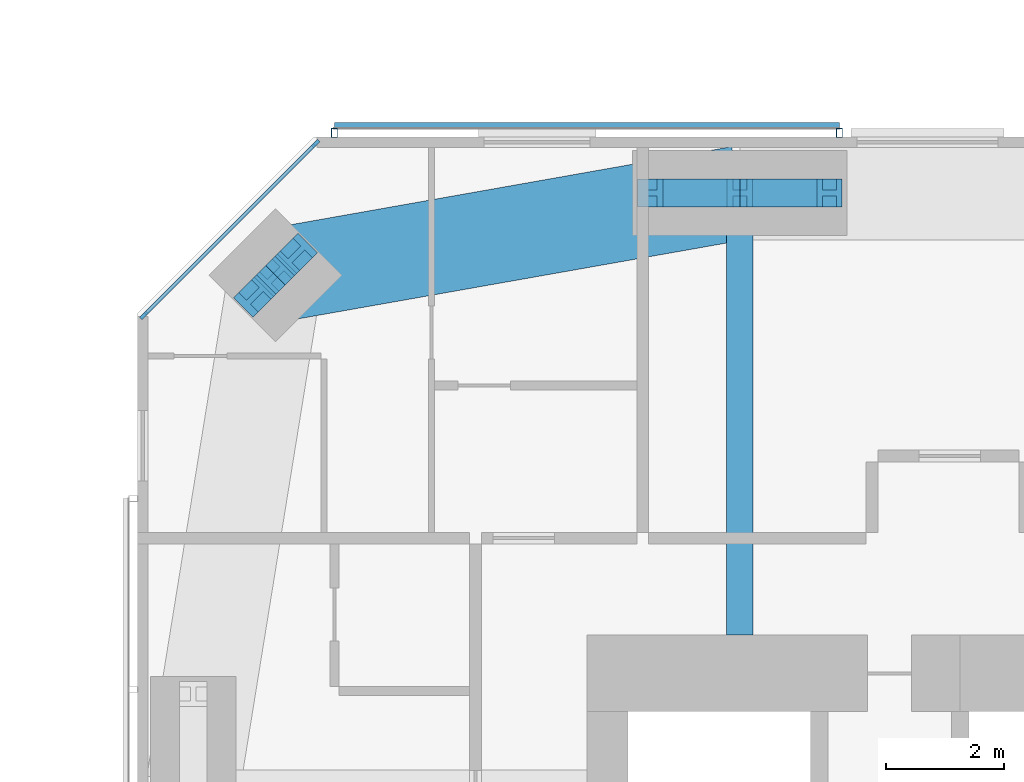
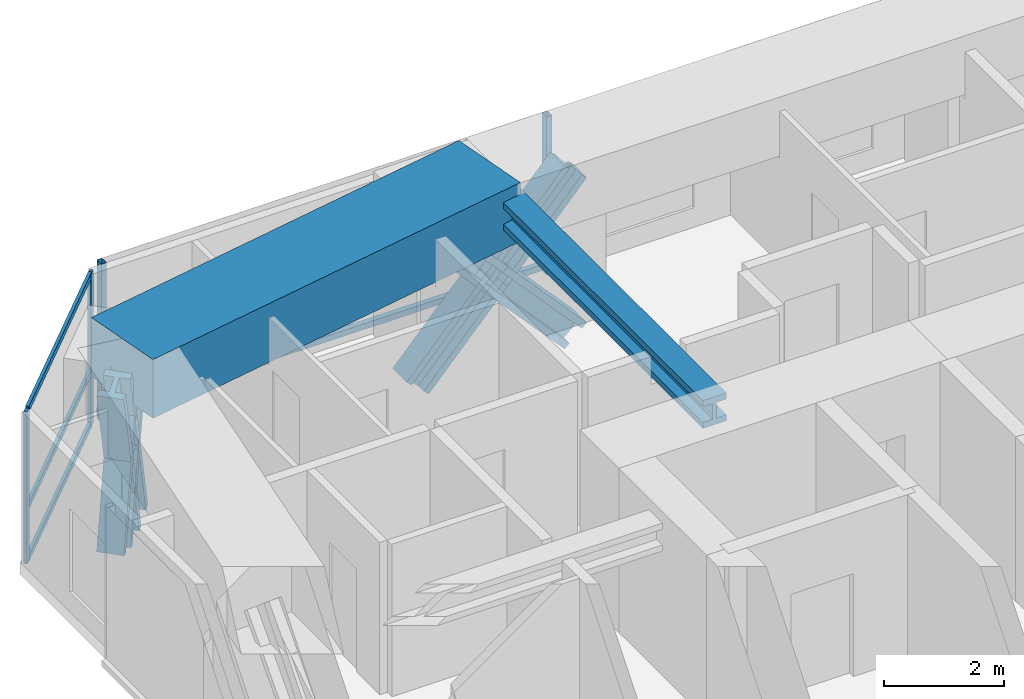
# One storey, part 11 of 23: 16 members, 2 beams, 2 elements without a shape of their own.
"""IFC4 building model written with IfcOpenShell, lengths in metres."""

from ifc_helpers import new_model, si_unit, direction, frame, origin, origin_2d, place, context, subcontext, project, spatial, rectangle, hollow_rectangle, i_section, extrude, material, material_profile, profile_set, type_object, element, aggregate, save


model = new_model("IFC4")

# Units and contexts
model_context = context("Model", 3, precision=1e-05, world=origin(), true_north=direction((0.0, 1.0)))
body_context = subcontext(model_context, "Body", "Model", "MODEL_VIEW")
ifc_project = project(units=[si_unit("LENGTHUNIT", "METRE"), si_unit("AREAUNIT", "SQUARE_METRE"), si_unit("VOLUMEUNIT", "CUBIC_METRE"), si_unit("PLANEANGLEUNIT", "RADIAN"), si_unit("MASSUNIT", "GRAM", prefix="KILO")], contexts=[model_context])

# Site, building, storey
site_placement = place(None, origin())
site = spatial("IfcSite", under=ifc_project, at=site_placement, CompositionType="ELEMENT")
building_placement = place(site_placement, origin())
building = spatial("IfcBuilding", under=site, at=building_placement, Name="Jalousie Tower", CompositionType="ELEMENT")
storey_placement = place(building_placement, frame((0.0, 0.0, 187.85009765625)))
storey = spatial("IfcBuildingStorey", under=building, at=storey_placement, Name="L51", CompositionType="ELEMENT", Elevation=187.85009765625)

# Curtain wall, members
ifc_material_1 = material(Name="Aluminium curtain wall", Category="aluminium")
curtain_wall_type_1 = type_object("IfcCurtainWallType", Name="CORNER WINDOW WALL", PredefinedType="USERDEFINED", material=ifc_material_1)
curtain_wall_1_placement = place(storey_placement, origin())
curtain_wall_1 = element("IfcCurtainWall", 1, at=curtain_wall_1_placement, inside=storey, type_object=curtain_wall_type_1, Name="Corner Window Wall L51 6", ObjectType="CORNER WINDOW WALL", PredefinedType="USERDEFINED")
ifc_material_2 = material(Name="Aluminium mullion", Category="aluminium")
ifc_material_profile_1 = material_profile(ifc_material_2, rectangle(XDim=0.06005859375, YDim=0.14990234375, at=origin_2d()), Name="MULLION 60x150")
ifc_profile_set_1 = profile_set([ifc_material_profile_1], Name="Aluminium mullion")
member_type_1 = type_object("IfcMemberType", Name="CORNER WINDOW WALL MULLION", PredefinedType="MULLION", material=ifc_profile_set_1)
member_1_placement = place(storey_placement, frame((15.030029296875, 35.891357421875, 0.0), z_axis=(0.0, 0.0, 1.0), x_axis=(0.707106781187, -0.707106781187, 0.0)))
member_1 = element("IfcMember", 2, at=member_1_placement, type_object=member_type_1, Name="CW-C mullion 1", PredefinedType="MULLION", context=body_context, shape_type="SweptSolid", body=[
    extrude(rectangle(XDim=0.06005859375, YDim=0.14990234375, at=origin_2d()), origin(), (0.0, 0.0, 1.0), 3.10986328125),
])
member_2_placement = place(storey_placement, frame((12.108642578125, 32.969970703125, 0.0), z_axis=(0.0, 0.0, 1.0), x_axis=(0.707106781187, -0.707106781187, 0.0)))
member_2 = element("IfcMember", 3, at=member_2_placement, type_object=member_type_1, Name="CW-C mullion 2", PredefinedType="MULLION", context=body_context, shape_type="SweptSolid", body=[
    extrude(rectangle(XDim=0.06005859375, YDim=0.14990234375, at=origin_2d()), origin(), (0.0, 0.0, 1.0), 3.10986328125),
])
ifc_material_3 = material(Name="Aluminium transom", Category="aluminium")
ifc_material_profile_2 = material_profile(ifc_material_3, rectangle(XDim=0.06005859375, YDim=0.1201171875, at=origin_2d()), Name="TRANSOM 60x120")
ifc_profile_set_2 = profile_set([ifc_material_profile_2], Name="Aluminium transom")
member_type_2 = type_object("IfcMemberType", Name="CORNER WINDOW WALL TRANSOM", PredefinedType="USERDEFINED", material=ifc_profile_set_2)
member_3_placement = place(storey_placement, frame((15.0087890625, 35.8701171875, 0.02978515625), z_axis=(-0.707106781187, -0.707106781187, 0.0), x_axis=(0.707106781187, -0.707106781187, 0.0)))
member_3 = element("IfcMember", 4, at=member_3_placement, type_object=member_type_2, Name="CW-C transom 1.1", ObjectType="TRANSOM", PredefinedType="USERDEFINED", context=body_context, shape_type="SweptSolid", body=[
    extrude(rectangle(XDim=0.06005859375, YDim=0.1201171875, at=origin_2d()), origin(), (0.0, 0.0, 1.0), 4.0712890625),
])
member_4_placement = place(storey_placement, frame((15.0087890625, 35.8701171875, 1.099853515625), z_axis=(-0.707106781187, -0.707106781187, 0.0), x_axis=(0.707106781187, -0.707106781187, 0.0)))
member_4 = element("IfcMember", 5, at=member_4_placement, type_object=member_type_2, Name="CW-C transom 1.2", ObjectType="TRANSOM", PredefinedType="USERDEFINED", context=body_context, shape_type="SweptSolid", body=[
    extrude(rectangle(XDim=0.06005859375, YDim=0.1201171875, at=origin_2d()), origin(), (0.0, 0.0, 1.0), 4.0712890625),
])
member_5_placement = place(storey_placement, frame((15.0087890625, 35.8701171875, 3.079833984375), z_axis=(-0.707106781187, -0.707106781187, 0.0), x_axis=(0.707106781187, -0.707106781187, 0.0)))
member_5 = element("IfcMember", 6, at=member_5_placement, type_object=member_type_2, Name="CW-C transom 1.3", ObjectType="TRANSOM", PredefinedType="USERDEFINED", context=body_context, shape_type="SweptSolid", body=[
    extrude(rectangle(XDim=0.06005859375, YDim=0.1201171875, at=origin_2d()), origin(), (0.0, 0.0, 1.0), 4.0712890625),
])
aggregate(curtain_wall_1, [member_1, member_2, member_3, member_4, member_5])

# Beam
ifc_material_4 = material(Name="Steel ASTM A992 Grade 50", Category="steel")
ifc_material_profile_3 = material_profile(ifc_material_4, i_section(OverallWidth=0.45458984375, OverallDepth=0.569091796875, WebThickness=0.077880859375, FlangeThickness=0.124755859375, at=origin_2d()), Name="W14X730")
ifc_profile_set_3 = profile_set([ifc_material_profile_3], Name="Steel ASTM A992 Grade 50")
beam_type_1 = type_object("IfcBeamType", Name="LEAN COLLECTOR W14X730", PredefinedType="BEAM", material=ifc_profile_set_3)
beam_1_placement = place(storey_placement, frame((22.25, 35.050048828125, 2.825439453125), z_axis=(0.0, -1.0, 0.0), x_axis=(1.0, 0.0, 0.0)))
element("IfcBeam", 7, at=beam_1_placement, inside=storey, type_object=beam_type_1, Name="Lean collector under L52", PredefinedType="BEAM", context=body_context, shape_type="SweptSolid", body=[
    extrude(i_section(OverallWidth=0.45458984375, OverallDepth=0.569091796875, WebThickness=0.077880859375, FlangeThickness=0.124755859375, at=origin_2d()), origin(), (0.0, 0.0, 1.0), 7.525146484375),
])

# Members
ifc_material_5 = material(Name="Steel ASTM A992 Grade 50", Category="steel")
ifc_material_profile_4 = material_profile(ifc_material_5, i_section(OverallWidth=0.472412109375, OverallDepth=0.5791015625, WebThickness=0.094970703125, FlangeThickness=0.1298828125, at=origin_2d()), Name="W14X808")
ifc_profile_set_4 = profile_set([ifc_material_profile_4], Name="Steel ASTM A992 Grade 50")
member_type_3 = type_object("IfcMemberType", Name="PERIMETER BRACE W14X808", PredefinedType="BRACE", material=ifc_profile_set_4)
for number, where, z_axis, x_axis, name in (
    (8, (20.72509765625, 35.050048828125, -0.60009765625), (0.673187629365, 0.0, 0.739471713908), (0.0, 1.0, 0.0), "Perimeter brace 11 L51 part 1"),
    (9, (22.25, 35.050048828125, 1.074951171875), (0.673187629365, 0.0, 0.739471713908), (0.0, 1.0, 0.0), "Perimeter brace 11 L51 part 2"),
    (10, (23.77490234375, 35.050048828125, -0.60009765625), (-0.673187629365, 0.0, 0.739471713908), (0.0, -1.0, 0.0), "Perimeter brace 11 L51 part 3"),
    (11, (22.25, 35.050048828125, 1.074951171875), (-0.673187629365, 0.0, 0.739471713908), (0.0, -1.0, 0.0), "Perimeter brace 11 L51 part 4"),
):
    element("IfcMember", number, at=place(storey_placement, frame(where, z_axis=z_axis, x_axis=x_axis)), inside=storey, type_object=member_type_3, Name=name, PredefinedType="BRACE", context=body_context, shape_type="SweptSolid", body=[
        extrude(i_section(OverallWidth=0.472412109375, OverallDepth=0.5791015625, WebThickness=0.094970703125, FlangeThickness=0.1298828125, at=origin_2d()), origin(), (0.0, 0.0, 1.0), 2.26513671875),
    ])
for number, where, z_axis, x_axis, name in (
    (12, (14.7021484375, 34.0048828125, -0.60009765625), (-0.202372069365, -0.202092742837, 0.958229653493), (0.706618279267, -0.707594945859, 0.0), "Perimeter brace 12 L51 part 1"),
    (13, (14.348388671875, 33.651611328125, 1.074951171875), (-0.202092742837, -0.202372069365, 0.958229653493), (0.707594945859, -0.706618279267, 0.0), "Perimeter brace 12 L51 part 2"),
    (14, (13.9951171875, 33.2978515625, -0.60009765625), (0.202092742837, 0.202372069365, 0.958229653493), (-0.707594945859, 0.706618279267, 0.0), "Perimeter brace 12 L51 part 3"),
    (15, (14.348388671875, 33.651611328125, 1.074951171875), (0.202372069365, 0.202092742837, 0.958229653493), (-0.706618279267, 0.707594945859, 0.0), "Perimeter brace 12 L51 part 4"),
):
    element("IfcMember", number, at=place(storey_placement, frame(where, z_axis=z_axis, x_axis=x_axis)), inside=storey, type_object=member_type_3, Name=name, PredefinedType="BRACE", context=body_context, shape_type="SweptSolid", body=[
        extrude(i_section(OverallWidth=0.472412109375, OverallDepth=0.5791015625, WebThickness=0.094970703125, FlangeThickness=0.1298828125, at=origin_2d()), origin(), (0.0, 0.0, 1.0), 1.748046875),
    ])

# Beam
ifc_material_6 = material(Name="Concrete f'c 40 MPa", Category="concrete")
ifc_material_profile_5 = material_profile(ifc_material_6, rectangle(XDim=1.60009765625, YDim=1.199951171875, at=origin_2d()), Name="RC 1600x1200")
ifc_profile_set_5 = profile_set([ifc_material_profile_5], Name="Concrete f'c 40 MPa")
beam_type_2 = type_object("IfcBeamType", Name="RC BEAM 1600x1200", PredefinedType="BEAM", material=ifc_profile_set_5)
beam_2_placement = place(storey_placement, frame((22.25, 35.050048828125, 2.75), z_axis=(-0.984697370688, -0.174273027632, 0.0), x_axis=(0.174273027632, -0.984697370688, 0.0)))
element("IfcBeam", 16, at=beam_2_placement, inside=storey, type_object=beam_type_2, Name="Edge band beam 11-12 under L52", PredefinedType="BEAM", context=body_context, shape_type="SweptSolid", body=[
    extrude(rectangle(XDim=1.60009765625, YDim=1.199951171875, at=origin_2d()), origin(), (0.0, 0.0, 1.0), 8.0244140625),
])

# Curtain wall, members
ifc_material_7 = material(Name="Perforated aluminium sheet", Category="aluminium")
curtain_wall_type_2 = type_object("IfcCurtainWallType", Name="SOLAR SCREEN SS-1", PredefinedType="USERDEFINED", material=ifc_material_7)
curtain_wall_2_placement = place(storey_placement, origin())
curtain_wall_2 = element("IfcCurtainWall", 17, at=curtain_wall_2_placement, inside=storey, type_object=curtain_wall_type_2, Name="Solar screen L51", ObjectType="SOLAR SCREEN SS-1", PredefinedType="USERDEFINED")
ifc_material_8 = material(Name="Steel ASTM A500 Grade C", Category="steel")
ifc_material_profile_6 = material_profile(ifc_material_8, hollow_rectangle(XDim=0.1015625, YDim=0.15234375, WallThickness=0.00634765625, at=origin_2d()), Name="HSS6X4X1/4")
ifc_profile_set_6 = profile_set([ifc_material_profile_6], Name="Steel ASTM A500 Grade C")
member_type_4 = type_object("IfcMemberType", Name="SOLAR SCREEN SS-1 MULLION", PredefinedType="MULLION", material=ifc_profile_set_6)
member_6_placement = place(storey_placement, frame((23.945068359375, 36.0712890625, -0.1201171875), z_axis=(0.0, 0.0, 1.0), x_axis=(-1.0, 0.0, 0.0)))
member_6 = element("IfcMember", 18, at=member_6_placement, type_object=member_type_4, Name="SS1 post 1", PredefinedType="MULLION", context=body_context, shape_type="SweptSolid", body=[
    extrude(hollow_rectangle(XDim=0.1015625, YDim=0.15234375, WallThickness=0.00634765625, at=origin_2d()), origin(), (0.0, 0.0, 1.0), 3.22998046875),
])
member_7_placement = place(storey_placement, frame((15.351318359375, 36.0712890625, -0.1201171875), z_axis=(0.0, 0.0, 1.0), x_axis=(-1.0, 0.0, 0.0)))
member_7 = element("IfcMember", 19, at=member_7_placement, type_object=member_type_4, Name="SS1 post 2", PredefinedType="MULLION", context=body_context, shape_type="SweptSolid", body=[
    extrude(hollow_rectangle(XDim=0.1015625, YDim=0.15234375, WallThickness=0.00634765625, at=origin_2d()), origin(), (0.0, 0.0, 1.0), 3.22998046875),
])
ifc_material_9 = material(Name="Extruded aluminium screen rail", Category="aluminium")
ifc_material_profile_7 = material_profile(ifc_material_9, rectangle(XDim=0.1015625, YDim=0.1201171875, at=origin_2d()), Name="RAIL 102x120")
ifc_profile_set_7 = profile_set([ifc_material_profile_7], Name="Extruded aluminium screen rail")
member_type_5 = type_object("IfcMemberType", Name="SOLAR SCREEN SS-1 TRANSOM", PredefinedType="USERDEFINED", material=ifc_profile_set_7)
member_8_placement = place(storey_placement, frame((23.945068359375, 36.1982421875, -0.06005859375), z_axis=(-1.0, 0.0, 0.0), x_axis=(0.0, -1.0, 0.0)))
member_8 = element("IfcMember", 20, at=member_8_placement, type_object=member_type_5, Name="SS1 rail", ObjectType="TRANSOM", PredefinedType="USERDEFINED", context=body_context, shape_type="SweptSolid", body=[
    extrude(rectangle(XDim=0.1015625, YDim=0.1201171875, at=origin_2d()), origin(), (0.0, 0.0, 1.0), 8.59375),
])
aggregate(curtain_wall_2, [member_6, member_7, member_8])

save(model, "model.ifc")
